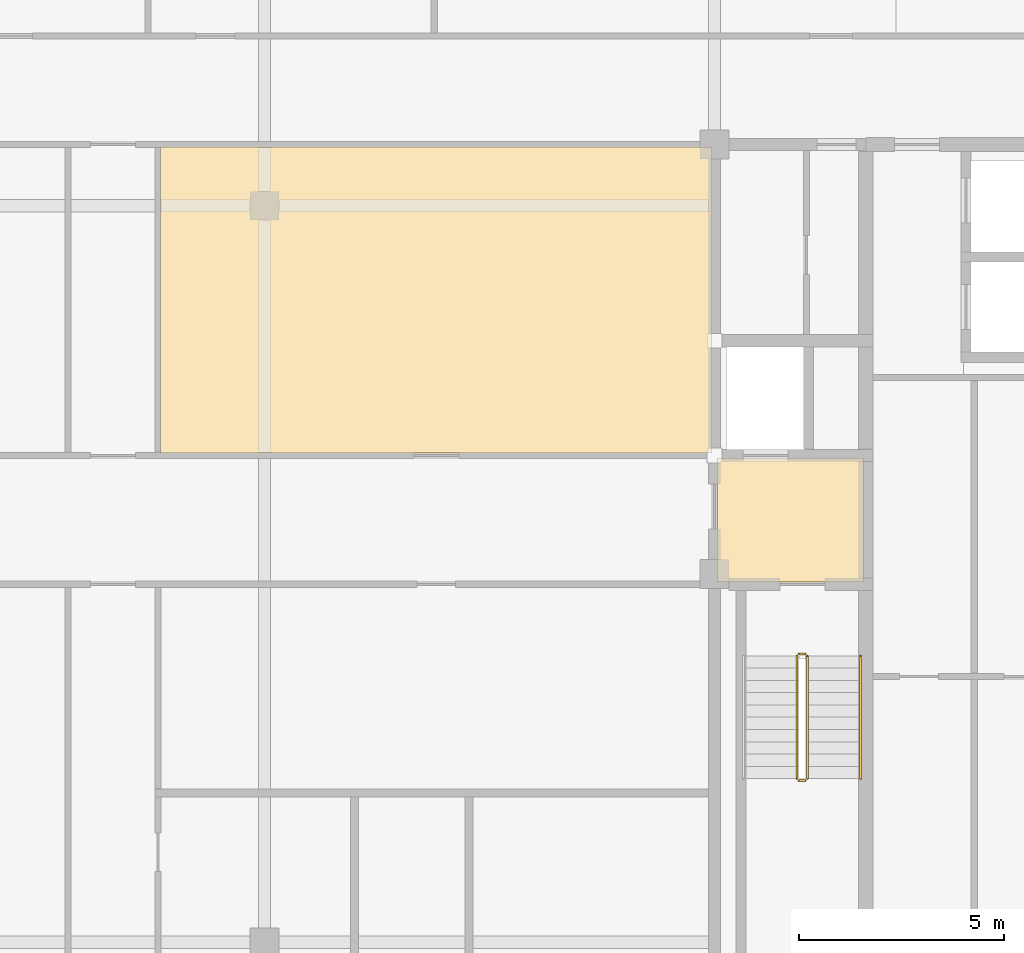
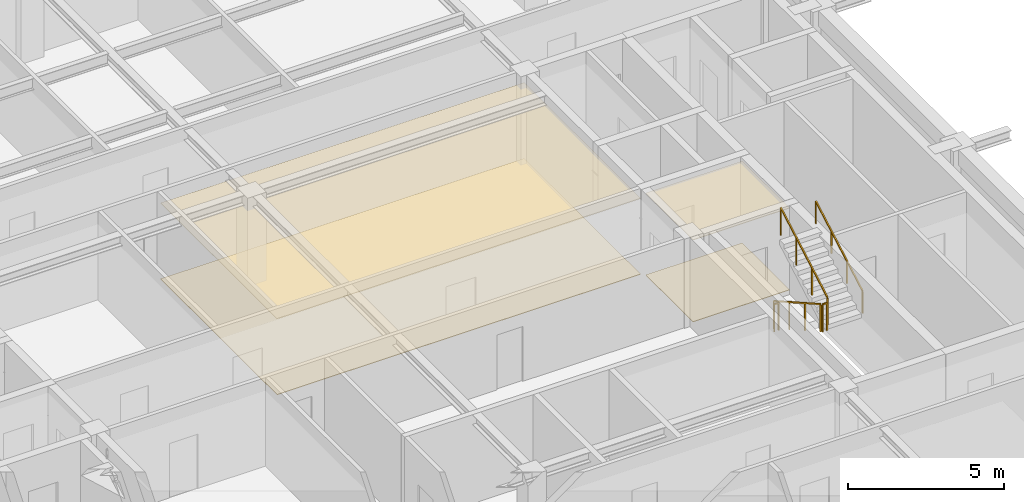
# One storey, part 10 of 11: 5 railings, 4 coverings.
"""IFC4 building model written with IfcOpenShell, lengths in metres."""

from ifc_helpers import new_model, si_unit, direction, frame, origin, origin_2d, place, context, subcontext, project, spatial, polyline, rectangle, outline, extrude, material, layer, layer_set, type_object, element, save


model = new_model("IFC4")

# Units and contexts
model_context = context("Model", 3, precision=1e-05, world=origin(), true_north=direction((0.0, 1.0)))
body_context = subcontext(model_context, "Body", "Model", "MODEL_VIEW")
ifc_project = project(units=[si_unit("LENGTHUNIT", "METRE"), si_unit("AREAUNIT", "SQUARE_METRE"), si_unit("VOLUMEUNIT", "CUBIC_METRE"), si_unit("PLANEANGLEUNIT", "RADIAN"), si_unit("MASSUNIT", "GRAM", prefix="KILO")], contexts=[model_context])

# Site, building, storey
site_placement = place(None, origin())
site = spatial("IfcSite", under=ifc_project, at=site_placement, CompositionType="ELEMENT")
building_placement = place(site_placement, origin())
building = spatial("IfcBuilding", under=site, at=building_placement, Name="Zulmaris Gate Convention Tower", CompositionType="ELEMENT")
storey_placement = place(building_placement, frame((0.0, 0.0, 270.580078125)))
storey = spatial("IfcBuildingStorey", under=building, at=storey_placement, Name="L72", CompositionType="ELEMENT", Elevation=270.580078125)

# Coverings
ifc_material_1 = material(Name="Mineral Fibre Acoustic Ceiling Tile")
ifc_layer_1 = layer(ifc_material_1, 0.02001953125, Name="Mineral Fibre Acoustic Ceiling Tile")
ifc_layer_set_1 = layer_set([ifc_layer_1], Name="Mineral Fibre Acoustic Ceiling Tile")
covering_type_1 = type_object("IfcCoveringType", Name="CLG-ACOUSTIC-600", PredefinedType="CEILING", material=ifc_layer_set_1)
covering_1_placement = place(storey_placement, frame((0.0, 0.0, 3.2099609375)))
element("IfcCovering", 1, at=covering_1_placement, inside=storey, type_object=covering_type_1, Name="CLG-L72-R08", PredefinedType="CEILING", context=body_context, shape_type="SweptSolid", body=[
    extrude(outline(polyline([(11.06005859375, -0.18994140625), (14.639892578125, -0.18994140625), (14.639892578125, 2.840087890625), (11.06005859375, 2.840087890625), (11.06005859375, -0.18994140625)])), origin(), (0.0, 0.0, 1.0), 0.02001953125),
])
covering_2_placement = place(storey_placement, frame((0.0, 0.0, 2.972900390625)))
element("IfcCovering", 2, at=covering_2_placement, inside=storey, type_object=covering_type_1, Name="CLG-L72-R46", PredefinedType="CEILING", context=body_context, shape_type="SweptSolid", body=[
    extrude(outline(polyline([(-2.5400390625, 2.9599609375), (10.93994140625, 2.9599609375), (10.93994140625, 10.43994140625), (-2.5400390625, 10.43994140625), (-2.5400390625, 2.9599609375)])), origin(), (0.0, 0.0, 1.0), 0.02001953125),
])
ifc_material_2 = material(Name="Woven Acoustic Wool Carpet Tile")
ifc_layer_2 = layer(ifc_material_2, 0.02001953125, Name="Woven Acoustic Wool Carpet Tile")
ifc_layer_set_2 = layer_set([ifc_layer_2], Name="Woven Acoustic Wool Carpet Tile")
covering_type_2 = type_object("IfcCoveringType", Name="FLR-CARPET-12", PredefinedType="FLOORING", material=ifc_layer_set_2)
covering_3_placement = place(storey_placement, origin())
element("IfcCovering", 3, at=covering_3_placement, inside=storey, type_object=covering_type_2, Name="FLR-L72-R08", PredefinedType="FLOORING", context=body_context, shape_type="SweptSolid", body=[
    extrude(outline(polyline([(11.06005859375, -0.18994140625), (14.639892578125, -0.18994140625), (14.639892578125, 2.840087890625), (11.06005859375, 2.840087890625), (11.06005859375, -0.18994140625)])), origin(), (0.0, 0.0, 1.0), 0.02001953125),
])
covering_4_placement = place(storey_placement, origin())
element("IfcCovering", 4, at=covering_4_placement, inside=storey, type_object=covering_type_2, Name="FLR-L72-R46", PredefinedType="FLOORING", context=body_context, shape_type="SweptSolid", body=[
    extrude(outline(polyline([(-2.5400390625, 2.9599609375), (10.93994140625, 2.9599609375), (10.93994140625, 10.43994140625), (-2.5400390625, 10.43994140625), (-2.5400390625, 2.9599609375)])), origin(), (0.0, 0.0, 1.0), 0.02001953125),
])

# Railings
ifc_material_3 = material(Name="Painted Galvanised Steel", Category="steel")
railing_type_1 = type_object("IfcRailingType", Name="RL-STG-1150", PredefinedType="GUARDRAIL", material=ifc_material_3)
railing_1_placement = place(storey_placement, frame((13.010009765625, -2.0, 0.169921875)))
element("IfcRailing", 5, at=railing_1_placement, inside=storey, type_object=railing_type_1, Name="L72 ST-2 stair guard 1", PredefinedType="GUARDRAIL", context=body_context, shape_type="SweptSolid", body=[
    extrude(rectangle(XDim=0.048095703125, YDim=0.048095703125, at=origin_2d()), frame((0.0, 0.0, 1.076171875), z_axis=(0.0, -0.869997889882, 0.493055444754), x_axis=(1.0, 0.0, 0.0)), (0.0, 0.0, 1.0), 3.4482421875),
    extrude(rectangle(XDim=0.0419921875, YDim=0.0419921875, at=origin_2d()), origin(), (0.0, 0.0, 1.0), 1.052001953125),
    extrude(rectangle(XDim=0.0419921875, YDim=0.0419921875, at=origin_2d()), frame((0.0, -1.0, 0.566650390625)), (0.0, 0.0, 1.0), 1.052001953125),
    extrude(rectangle(XDim=0.0419921875, YDim=0.0419921875, at=origin_2d()), frame((0.0, -2.0, 1.133544921875)), (0.0, 0.0, 1.0), 1.052001953125),
    extrude(rectangle(XDim=0.0419921875, YDim=0.0419921875, at=origin_2d()), frame((0.0, -3.0, 1.7001953125)), (0.0, 0.0, 1.0), 1.052001953125),
])
railing_2_placement = place(storey_placement, frame((13.06005859375, -5.050048828125, 1.8701171875)))
element("IfcRailing", 6, at=railing_2_placement, inside=storey, type_object=railing_type_1, Name="L72 ST-2 stair guard 2", PredefinedType="GUARDRAIL", context=body_context, shape_type="SweptSolid", body=[
    extrude(rectangle(XDim=0.048095703125, YDim=0.048095703125, at=origin_2d()), frame((0.0, 0.0, 1.076171875), z_axis=(1.0, 0.0, 0.0), x_axis=(0.0, 1.0, 0.0)), (0.0, 0.0, 1.0), 0.159912109375),
    extrude(rectangle(XDim=0.0419921875, YDim=0.0419921875, at=origin_2d()), origin(), (0.0, 0.0, 1.0), 1.052001953125),
    extrude(rectangle(XDim=0.0419921875, YDim=0.0419921875, at=origin_2d()), frame((0.159912109375, 0.0, 0.0)), (0.0, 0.0, 1.0), 1.052001953125),
])
railing_3_placement = place(storey_placement, frame((13.27001953125, -5.0, 2.0400390625)))
element("IfcRailing", 7, at=railing_3_placement, inside=storey, type_object=railing_type_1, Name="L72 ST-2 stair guard 3", PredefinedType="GUARDRAIL", context=body_context, shape_type="SweptSolid", body=[
    extrude(rectangle(XDim=0.048095703125, YDim=0.048095703125, at=origin_2d()), frame((0.0, 0.0, 1.076171875), z_axis=(0.0, 0.870028259722, 0.493001853226), x_axis=(-1.0, 0.0, 0.0)), (0.0, 0.0, 1.0), 3.4482421875),
    extrude(rectangle(XDim=0.0419921875, YDim=0.0419921875, at=origin_2d()), origin(), (0.0, 0.0, 1.0), 1.052001953125),
    extrude(rectangle(XDim=0.0419921875, YDim=0.0419921875, at=origin_2d()), frame((0.0, 1.0, 0.566650390625)), (0.0, 0.0, 1.0), 1.052001953125),
    extrude(rectangle(XDim=0.0419921875, YDim=0.0419921875, at=origin_2d()), frame((0.0, 2.0, 1.13330078125)), (0.0, 0.0, 1.0), 1.052001953125),
    extrude(rectangle(XDim=0.0419921875, YDim=0.0419921875, at=origin_2d()), frame((0.0, 3.0, 1.699951171875)), (0.0, 0.0, 1.0), 1.052001953125),
])
railing_4_placement = place(storey_placement, frame((13.06005859375, -1.949951171875, 0.0)))
element("IfcRailing", 8, at=railing_4_placement, inside=storey, type_object=railing_type_1, Name="L72 ST-2 stair guard 4", PredefinedType="GUARDRAIL", context=body_context, shape_type="SweptSolid", body=[
    extrude(rectangle(XDim=0.048095703125, YDim=0.048095703125, at=origin_2d()), frame((0.0, 0.0, 1.076171875), z_axis=(1.0, 0.0, 0.0), x_axis=(0.0, 1.0, 0.0)), (0.0, 0.0, 1.0), 0.159912109375),
    extrude(rectangle(XDim=0.0419921875, YDim=0.0419921875, at=origin_2d()), origin(), (0.0, 0.0, 1.0), 1.052001953125),
    extrude(rectangle(XDim=0.0419921875, YDim=0.0419921875, at=origin_2d()), frame((0.159912109375, 0.0, 0.0)), (0.0, 0.0, 1.0), 1.052001953125),
])
ifc_material_4 = material(Name="Brushed Stainless Steel", Category="steel")
railing_type_2 = type_object("IfcRailingType", Name="RL-STH-900", PredefinedType="HANDRAIL", material=ifc_material_4)
railing_5_placement = place(storey_placement, frame((14.570068359375, -5.0, 2.0400390625)))
element("IfcRailing", 9, at=railing_5_placement, inside=storey, type_object=railing_type_2, Name="L72 ST-2 stair handrail 2", PredefinedType="HANDRAIL", context=body_context, shape_type="SweptSolid", body=[
    extrude(rectangle(XDim=0.048095703125, YDim=0.048095703125, at=origin_2d()), frame((0.0, 0.0, 0.8759765625), z_axis=(0.0, 0.870028259722, 0.493001853226), x_axis=(-1.0, 0.0, 0.0)), (0.0, 0.0, 1.0), 3.4482421875),
    extrude(rectangle(XDim=0.0419921875, YDim=0.0419921875, at=origin_2d()), origin(), (0.0, 0.0, 1.0), 0.851806640625),
    extrude(rectangle(XDim=0.0419921875, YDim=0.0419921875, at=origin_2d()), frame((0.0, 1.0, 0.566650390625)), (0.0, 0.0, 1.0), 0.851806640625),
    extrude(rectangle(XDim=0.0419921875, YDim=0.0419921875, at=origin_2d()), frame((0.0, 2.0, 1.13330078125)), (0.0, 0.0, 1.0), 0.851806640625),
    extrude(rectangle(XDim=0.0419921875, YDim=0.0419921875, at=origin_2d()), frame((0.0, 3.0, 1.699951171875)), (0.0, 0.0, 1.0), 0.851806640625),
])

save(model, "model.ifc")
